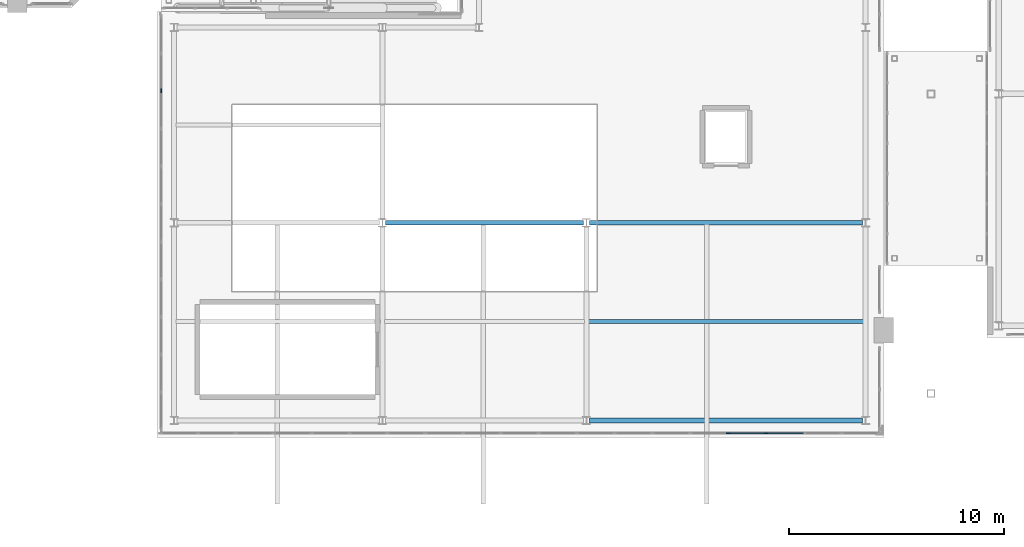
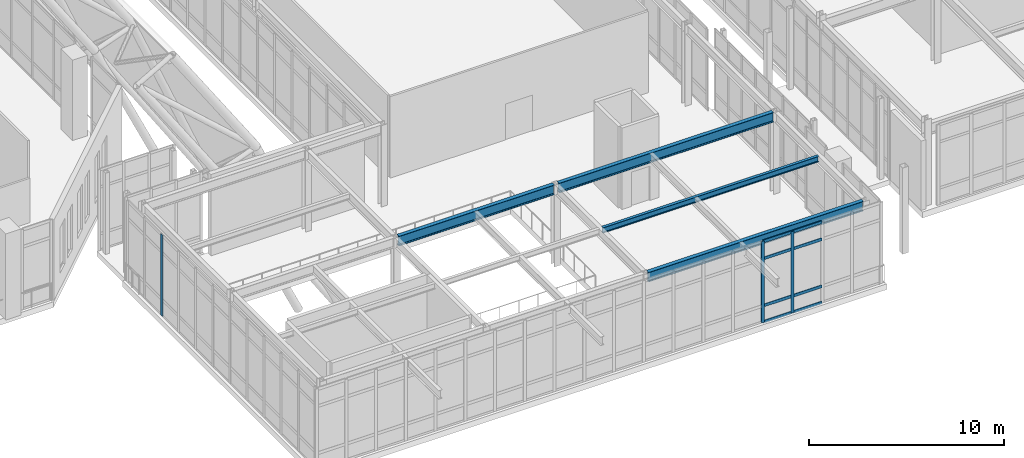
# One storey, part 36 of 159: 11 members, 4 beams, 2 elements without a shape of their own.
"""IFC4 building model written with IfcOpenShell, lengths in metres."""

from ifc_helpers import new_model, si_unit, derived_unit, direction, frame, origin, origin_2d, place, context, subcontext, project, spatial, rectangle, i_section, extrude, material, layer, layer_set, material_profile, profile_set, type_object, element, aggregate, save


model = new_model("IFC4")

# Units and contexts
model_context = context("Model", 3, precision=1e-05, world=origin(), true_north=direction((0.0, 1.0)))
body_context = subcontext(model_context, "Body", "Model", "MODEL_VIEW")
ifc_project = project(units=[si_unit("LENGTHUNIT", "METRE"), si_unit("AREAUNIT", "SQUARE_METRE"), si_unit("VOLUMEUNIT", "CUBIC_METRE"), si_unit("PLANEANGLEUNIT", "RADIAN"), si_unit("MASSUNIT", "GRAM", prefix="KILO"), derived_unit("THERMALTRANSMITTANCEUNIT", [(si_unit("MASSUNIT", "GRAM", prefix="KILO"), 1), (si_unit("TIMEUNIT", "SECOND"), -3), (si_unit("THERMODYNAMICTEMPERATUREUNIT", "KELVIN"), -1)])], contexts=[model_context])

# Site, building, storey
site_placement = place(None, origin())
site = spatial("IfcSite", under=ifc_project, at=site_placement, CompositionType="ELEMENT")
building_placement = place(site_placement, origin())
building = spatial("IfcBuilding", under=site, at=building_placement, Name="Valcora Ridge Arena", CompositionType="ELEMENT")
storey_placement = place(building_placement, frame((0.0, 0.0, 6.0)))
storey = spatial("IfcBuildingStorey", under=building, at=storey_placement, Name="L01", CompositionType="ELEMENT", Elevation=6.0)

# Beams
ifc_material_1 = material(Name="Steel ASTM A572 Grade 50", Category="steel")
ifc_material_profile_1 = material_profile(ifc_material_1, i_section(OverallWidth=0.22900390625, OverallDepth=0.612060546875, WebThickness=0.011962890625, FlangeThickness=0.01953125, FilletRadius=0.01806640625, at=origin_2d()), Name="W24X84")
ifc_profile_set_1 = profile_set([ifc_material_profile_1], Name="Steel ASTM A572 Grade 50")
beam_type_1 = type_object("IfcBeamType", Name="TY-BEAM-G-W24X84-X", PredefinedType="BEAM", material=ifc_profile_set_1)
beam_1_placement = place(storey_placement, frame((108.639892578125, 10.0, 4.7939453125), z_axis=(1.0, 0.0, 0.0), x_axis=(0.0, 1.0, 0.0)))
element("IfcBeam", 1, at=beam_1_placement, inside=storey, type_object=beam_type_1, Name="G-W24X84-X BEM-G-W24X84-X-0005", PredefinedType="BEAM", context=body_context, shape_type="SweptSolid", body=[
    extrude(i_section(OverallWidth=0.22900390625, OverallDepth=0.612060546875, WebThickness=0.011962890625, FlangeThickness=0.01953125, FilletRadius=0.01806640625, at=origin_2d()), origin(), (0.0, 0.0, 1.0), 9.22021484375),
])
beam_2_placement = place(storey_placement, frame((118.139892578125, 10.0, 4.7939453125), z_axis=(1.0, 0.0, 0.0), x_axis=(0.0, 1.0, 0.0)))
element("IfcBeam", 2, at=beam_2_placement, inside=storey, type_object=beam_type_1, Name="G-W24X84-X BEM-G-W24X84-X-0006", PredefinedType="BEAM", context=body_context, shape_type="SweptSolid", body=[
    extrude(i_section(OverallWidth=0.22900390625, OverallDepth=0.612060546875, WebThickness=0.011962890625, FlangeThickness=0.01953125, FilletRadius=0.01806640625, at=origin_2d()), origin(), (0.0, 0.0, 1.0), 12.72021484375),
])
ifc_material_profile_2 = material_profile(ifc_material_1, i_section(OverallWidth=0.1708984375, OverallDepth=0.35107421875, WebThickness=0.0068359375, FlangeThickness=0.009765625, FilletRadius=0.012939453125, at=origin_2d()), Name="W14X30")
ifc_profile_set_2 = profile_set([ifc_material_profile_2], Name="Steel ASTM A572 Grade 50")
beam_type_2 = type_object("IfcBeamType", Name="TY-BEAM-J-W14X30", PredefinedType="JOIST", material=ifc_profile_set_2)
beam_3_placement = place(storey_placement, frame((118.10009765625, 5.39990234375, 4.924560546875), z_axis=(1.0, 0.0, 0.0), x_axis=(0.0, 1.0, 0.0)))
element("IfcBeam", 3, at=beam_3_placement, inside=storey, type_object=beam_type_2, Name="J-W14X30 BEM-J-W14X30-0004", PredefinedType="JOIST", context=body_context, shape_type="SweptSolid", body=[
    extrude(i_section(OverallWidth=0.1708984375, OverallDepth=0.35107421875, WebThickness=0.0068359375, FlangeThickness=0.009765625, FilletRadius=0.012939453125, at=origin_2d()), origin(), (0.0, 0.0, 1.0), 12.7998046875),
])
ifc_material_profile_3 = material_profile(ifc_material_1, i_section(OverallWidth=0.22900390625, OverallDepth=0.612060546875, WebThickness=0.011962890625, FlangeThickness=0.01953125, FilletRadius=0.01806640625, at=origin_2d()), Name="W24X84")
ifc_profile_set_3 = profile_set([ifc_material_profile_3], Name="Steel ASTM A572 Grade 50")
beam_type_3 = type_object("IfcBeamType", Name="TY-BEAM-SP-W24X84", PredefinedType="SPANDREL", material=ifc_profile_set_3)
beam_4_placement = place(storey_placement, frame((118.139892578125, 0.800048828125, 4.7939453125), z_axis=(1.0, 0.0, 0.0), x_axis=(0.0, 1.0, 0.0)))
element("IfcBeam", 4, at=beam_4_placement, inside=storey, type_object=beam_type_3, Name="SP-W24X84 BEM-SP-W24X84-0006", PredefinedType="SPANDREL", context=body_context, shape_type="SweptSolid", body=[
    extrude(i_section(OverallWidth=0.22900390625, OverallDepth=0.612060546875, WebThickness=0.011962890625, FlangeThickness=0.01953125, FilletRadius=0.01806640625, at=origin_2d()), origin(), (0.0, 0.0, 1.0), 12.72021484375),
])

# Curtain wall, members
ifc_material_2 = material(Name="Anodised dark bronze architectural aluminium 6063-T6", Category="aluminium")
ifc_layer_1 = layer(ifc_material_2, 0.179931640625, Name="Anodised dark bronze architectural aluminium 6063-T6")
ifc_layer_set_1 = layer_set([ifc_layer_1], Name="Anodised dark bronze architectural aluminium 6063-T6")
curtain_wall_type_1 = type_object("IfcCurtainWallType", Name="TY-CURTAINWALL-CW-V3-LANCET-335X51", PredefinedType="NOTDEFINED", material=ifc_layer_set_1)
curtain_wall_1_placement = place(storey_placement, origin())
curtain_wall_1 = element("IfcCurtainWall", 5, at=curtain_wall_1_placement, inside=storey, type_object=curtain_wall_type_1, Name="CW-V3-LANCET-335X51 CW-0011", PredefinedType="NOTDEFINED")
ifc_material_profile_4 = material_profile(ifc_material_2, rectangle(XDim=0.06005859375, YDim=0.179931640625, at=origin_2d()), Name="ALU MULLION 60x180")
ifc_profile_set_4 = profile_set([ifc_material_profile_4], Name="Anodised dark bronze architectural aluminium 6063-T6")
member_type_1 = type_object("IfcMemberType", Name="TY-MEM-CWM-60x180", PredefinedType="MULLION", material=ifc_profile_set_4)
member_1_placement = place(storey_placement, frame((124.597412109375, 0.199951171875, 0.0), z_axis=(0.0, 0.0, 1.0), x_axis=(0.0, 1.0, 0.0)))
member_1 = element("IfcMember", 6, at=member_1_placement, type_object=member_type_1, Name="CW-0011/CWM-60x180/M15", PredefinedType="MULLION", context=body_context, shape_type="SweptSolid", body=[
    extrude(rectangle(XDim=0.06005859375, YDim=0.179931640625, at=origin_2d()), origin(), (0.0, 0.0, 1.0), 5.10009765625),
])
member_2_placement = place(storey_placement, frame((126.360595703125, 0.199951171875, 0.0), z_axis=(0.0, 0.0, 1.0), x_axis=(0.0, 1.0, 0.0)))
member_2 = element("IfcMember", 7, at=member_2_placement, type_object=member_type_1, Name="CW-0011/CWM-60x180/M16", PredefinedType="MULLION", context=body_context, shape_type="SweptSolid", body=[
    extrude(rectangle(XDim=0.06005859375, YDim=0.179931640625, at=origin_2d()), origin(), (0.0, 0.0, 1.0), 5.10009765625),
])

# Curtain wall, member
ifc_layer_2 = layer(ifc_material_2, 0.179931640625, Name="Anodised dark bronze architectural aluminium 6063-T6")
ifc_layer_set_2 = layer_set([ifc_layer_2], Name="Anodised dark bronze architectural aluminium 6063-T6")
curtain_wall_type_2 = type_object("IfcCurtainWallType", Name="TY-CURTAINWALL-CW-V3-LANCET-193X51", PredefinedType="NOTDEFINED", material=ifc_layer_set_2)
curtain_wall_2_placement = place(storey_placement, origin())
curtain_wall_2 = element("IfcCurtainWall", 8, at=curtain_wall_2_placement, inside=storey, type_object=curtain_wall_type_2, Name="CW-V3-LANCET-193X51 CW-0020", PredefinedType="NOTDEFINED")
member_3_placement = place(storey_placement, frame((98.199951171875, 16.140869140625, 0.0), z_axis=(0.0, 0.0, 1.0), x_axis=(-1.0, 0.0, 0.0)))
member_3 = element("IfcMember", 9, at=member_3_placement, type_object=member_type_1, Name="CW-0020/CWM-60x180/M09", PredefinedType="MULLION", context=body_context, shape_type="SweptSolid", body=[
    extrude(rectangle(XDim=0.06005859375, YDim=0.179931640625, at=origin_2d()), origin(), (0.0, 0.0, 1.0), 5.10009765625),
])
aggregate(curtain_wall_2, [member_3])

# Member
ifc_material_profile_5 = material_profile(ifc_material_2, rectangle(XDim=0.06005859375, YDim=0.179931640625, at=origin_2d()), Name="ALU TRANSOM 60x180")
ifc_profile_set_5 = profile_set([ifc_material_profile_5], Name="Anodised dark bronze architectural aluminium 6063-T6")
member_type_2 = type_object("IfcMemberType", Name="TY-MEM-CWT-60x180", PredefinedType="USERDEFINED", material=ifc_profile_set_5)
member_4_placement = place(storey_placement, frame((124.626953125, 0.199951171875, 0.030029296875), z_axis=(1.0, 0.0, 0.0), x_axis=(0.0, 1.0, 0.0)))
member_4 = element("IfcMember", 10, at=member_4_placement, type_object=member_type_2, Name="CW-0011/CWT-60x180/T15-00", ObjectType="TRANSOM", PredefinedType="USERDEFINED", context=body_context, shape_type="SweptSolid", body=[
    extrude(rectangle(XDim=0.06005859375, YDim=0.179931640625, at=origin_2d()), origin(), (0.0, 0.0, 1.0), 1.7041015625),
])

member_5_placement = place(storey_placement, frame((124.626953125, 0.199951171875, 1.050048828125), z_axis=(1.0, 0.0, 0.0), x_axis=(0.0, 1.0, 0.0)))
member_5 = element("IfcMember", 11, at=member_5_placement, type_object=member_type_2, Name="CW-0011/CWT-60x180/T15-01", ObjectType="TRANSOM", PredefinedType="USERDEFINED", context=body_context, shape_type="SweptSolid", body=[
    extrude(rectangle(XDim=0.06005859375, YDim=0.179931640625, at=origin_2d()), origin(), (0.0, 0.0, 1.0), 1.7041015625),
])

member_6_placement = place(storey_placement, frame((124.626953125, 0.199951171875, 4.0), z_axis=(1.0, 0.0, 0.0), x_axis=(0.0, 1.0, 0.0)))
member_6 = element("IfcMember", 12, at=member_6_placement, type_object=member_type_2, Name="CW-0011/CWT-60x180/T15-02", ObjectType="TRANSOM", PredefinedType="USERDEFINED", context=body_context, shape_type="SweptSolid", body=[
    extrude(rectangle(XDim=0.06005859375, YDim=0.179931640625, at=origin_2d()), origin(), (0.0, 0.0, 1.0), 1.7041015625),
])

member_7_placement = place(storey_placement, frame((124.626953125, 0.199951171875, 5.070068359375), z_axis=(1.0, 0.0, 0.0), x_axis=(0.0, 1.0, 0.0)))
member_7 = element("IfcMember", 13, at=member_7_placement, type_object=member_type_2, Name="CW-0011/CWT-60x180/T15-03", ObjectType="TRANSOM", PredefinedType="USERDEFINED", context=body_context, shape_type="SweptSolid", body=[
    extrude(rectangle(XDim=0.06005859375, YDim=0.179931640625, at=origin_2d()), origin(), (0.0, 0.0, 1.0), 1.7041015625),
])

member_8_placement = place(storey_placement, frame((126.39111328125, 0.199951171875, 0.030029296875), z_axis=(1.0, 0.0, 0.0), x_axis=(0.0, 1.0, 0.0)))
member_8 = element("IfcMember", 14, at=member_8_placement, type_object=member_type_2, Name="CW-0011/CWT-60x180/T16-00", ObjectType="TRANSOM", PredefinedType="USERDEFINED", context=body_context, shape_type="SweptSolid", body=[
    extrude(rectangle(XDim=0.06005859375, YDim=0.179931640625, at=origin_2d()), origin(), (0.0, 0.0, 1.0), 1.702880859375),
])

member_9_placement = place(storey_placement, frame((126.39111328125, 0.199951171875, 1.050048828125), z_axis=(1.0, 0.0, 0.0), x_axis=(0.0, 1.0, 0.0)))
member_9 = element("IfcMember", 15, at=member_9_placement, type_object=member_type_2, Name="CW-0011/CWT-60x180/T16-01", ObjectType="TRANSOM", PredefinedType="USERDEFINED", context=body_context, shape_type="SweptSolid", body=[
    extrude(rectangle(XDim=0.06005859375, YDim=0.179931640625, at=origin_2d()), origin(), (0.0, 0.0, 1.0), 1.702880859375),
])

member_10_placement = place(storey_placement, frame((126.39111328125, 0.199951171875, 4.0), z_axis=(1.0, 0.0, 0.0), x_axis=(0.0, 1.0, 0.0)))
member_10 = element("IfcMember", 16, at=member_10_placement, type_object=member_type_2, Name="CW-0011/CWT-60x180/T16-02", ObjectType="TRANSOM", PredefinedType="USERDEFINED", context=body_context, shape_type="SweptSolid", body=[
    extrude(rectangle(XDim=0.06005859375, YDim=0.179931640625, at=origin_2d()), origin(), (0.0, 0.0, 1.0), 1.702880859375),
])

member_11_placement = place(storey_placement, frame((126.39111328125, 0.199951171875, 5.070068359375), z_axis=(1.0, 0.0, 0.0), x_axis=(0.0, 1.0, 0.0)))
member_11 = element("IfcMember", 17, at=member_11_placement, type_object=member_type_2, Name="CW-0011/CWT-60x180/T16-03", ObjectType="TRANSOM", PredefinedType="USERDEFINED", context=body_context, shape_type="SweptSolid", body=[
    extrude(rectangle(XDim=0.06005859375, YDim=0.179931640625, at=origin_2d()), origin(), (0.0, 0.0, 1.0), 1.702880859375),
])

aggregate(curtain_wall_1, [member_1, member_2, member_4, member_5, member_6, member_7, member_8, member_9, member_10, member_11])

save(model, "model.ifc")
